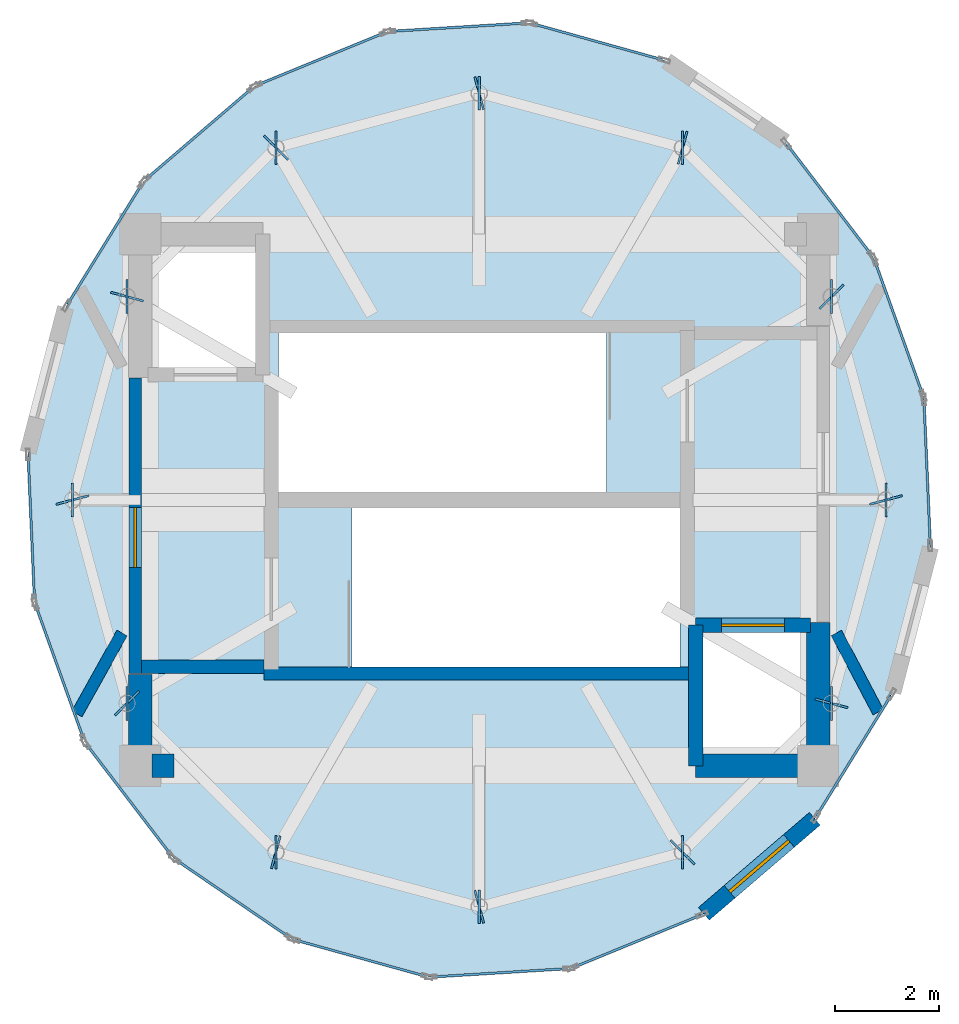
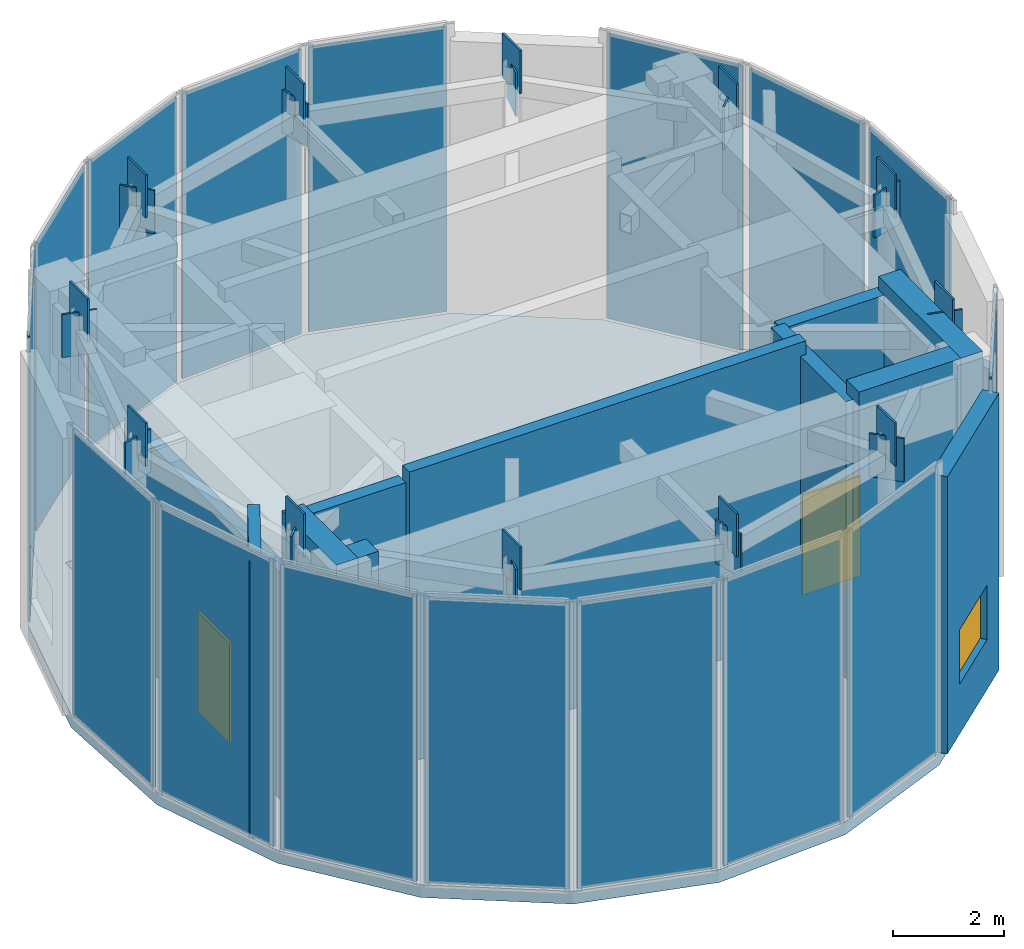
# One storey, part 5 of 7: 40 plates, 12 walls, 2 doors, 1 slab, 1 window, 3 openings, 16 elements without a shape of their own.
"""IFC4 building model written with IfcOpenShell, lengths in metres."""

from ifc_helpers import new_model, si_unit, direction, frame, frame_2d, origin, origin_2d, place, context, subcontext, project, spatial, polyline, rectangle, outline, extrude, source, transform, mapped, material, layer, layer_set, type_object, element, fill, aggregate, save


model = new_model("IFC4")

# Units and contexts
model_context = context("Model", 3, precision=1e-05, world=origin(), true_north=direction((0.0, 1.0)))
body_context = subcontext(model_context, "Body", "Model", "MODEL_VIEW")
ifc_project = project(units=[si_unit("LENGTHUNIT", "METRE"), si_unit("AREAUNIT", "SQUARE_METRE"), si_unit("VOLUMEUNIT", "CUBIC_METRE"), si_unit("PLANEANGLEUNIT", "RADIAN"), si_unit("MASSUNIT", "GRAM", prefix="KILO")], contexts=[model_context])

# Site, building, storey
site_placement = place(None, origin())
site = spatial("IfcSite", under=ifc_project, at=site_placement, CompositionType="ELEMENT")
building_placement = place(site_placement, origin())
building = spatial("IfcBuilding", under=site, at=building_placement, Name="Solvirekh Grand Hotel", CompositionType="ELEMENT")
storey_placement = place(building_placement, frame((0.0, 0.0, 333.800048828125)))
storey = spatial("IfcBuildingStorey", under=building, at=storey_placement, Name="L83", CompositionType="ELEMENT", Elevation=333.800048828125)

# Plates
ifc_material_1 = material(Name="Steel S355", Category="steel")
ifc_layer_1 = layer(ifc_material_1, 0.0400390625)
ifc_layer_set_1 = layer_set([ifc_layer_1], Name="Steel S355")
plate_type_1 = type_object("IfcPlateType", Name="NodeCapPlate_40", PredefinedType="SHEET", material=ifc_layer_set_1)
for number, where, z_axis, x_axis, name in (
    (1, (7.800048828125, 0.0, 5.9248046875), (0.0, 0.0, 1.0), (1.0, 0.0, 0.0), "L83 hollow-section node plate PL-L83-CAP-P01"),
    (2, (6.7548828125, 3.89990234375, 5.9248046875), (0.0, 0.0, 1.0), (1.0, 0.0, 0.0), "L83 hollow-section node plate PL-L83-CAP-P02"),
    (3, (3.89990234375, 6.7548828125, 5.9248046875), (0.0, 0.0, 1.0), (1.0, 0.0, 0.0), "L83 hollow-section node plate PL-L83-CAP-P03"),
    (4, (0.0, 7.800048828125, 5.9248046875), (0.0, 0.0, 1.0), (1.0, 0.0, 0.0), "L83 hollow-section node plate PL-L83-CAP-P04"),
    (5, (-3.89990234375, 6.7548828125, 5.9248046875), (0.0, 0.0, 1.0), (1.0, 0.0, 0.0), "L83 hollow-section node plate PL-L83-CAP-P05"),
    (6, (-6.7548828125, 3.89990234375, 5.9248046875), (0.0, 0.0, 1.0), (1.0, 0.0, 0.0), "L83 hollow-section node plate PL-L83-CAP-P06"),
    (7, (-7.800048828125, 0.0, 5.9248046875), (0.0, 0.0, 1.0), (1.0, 0.0, 0.0), "L83 hollow-section node plate PL-L83-CAP-P07"),
    (8, (-6.7548828125, -3.89990234375, 5.9248046875), (0.0, 0.0, 1.0), (1.0, 0.0, 0.0), "L83 hollow-section node plate PL-L83-CAP-P08"),
    (9, (-3.89990234375, -6.7548828125, 5.9248046875), (0.0, 0.0, 1.0), (1.0, 0.0, 0.0), "L83 hollow-section node plate PL-L83-CAP-P09"),
    (10, (0.0, -7.800048828125, 5.9248046875), (0.0, 0.0, 1.0), (1.0, 0.0, 0.0), "L83 hollow-section node plate PL-L83-CAP-P10"),
    (11, (3.89990234375, -6.7548828125, 5.9248046875), (0.0, 0.0, 1.0), (1.0, 0.0, 0.0), "L83 hollow-section node plate PL-L83-CAP-P11"),
    (12, (6.7548828125, -3.89990234375, 5.9248046875), (0.0, 0.0, 1.0), (1.0, 0.0, 0.0), "L83 hollow-section node plate PL-L83-CAP-P12"),
    (13, (7.800048828125, 0.0, 5.4501953125), (0.0, 0.0, 1.0), (-0.258819045103, 0.965925826289, 0.0), "L83 hollow-section node plate NP-L83-SP01"),
    (14, (6.7548828125, 3.89990234375, 5.4501953125), (0.0, 0.0, 1.0), (-0.707106781187, 0.707106781187, 0.0), "L83 hollow-section node plate NP-L83-SP02"),
    (15, (3.89990234375, 6.7548828125, 5.4501953125), (0.0, 0.0, 1.0), (-0.965925826289, 0.258819045103, 0.0), "L83 hollow-section node plate NP-L83-SP03"),
    (16, (0.0, 7.800048828125, 5.4501953125), (0.0, 0.0, 1.0), (-0.965925826289, -0.258819045103, 0.0), "L83 hollow-section node plate NP-L83-SP04"),
    (17, (-3.89990234375, 6.7548828125, 5.4501953125), (0.0, 0.0, 1.0), (-0.707106781187, -0.707106781187, 0.0), "L83 hollow-section node plate NP-L83-SP05"),
    (18, (-6.7548828125, 3.89990234375, 5.4501953125), (0.0, 0.0, 1.0), (-0.258819045103, -0.965925826289, 0.0), "L83 hollow-section node plate NP-L83-SP06"),
    (19, (-7.800048828125, 0.0, 5.4501953125), (0.0, 0.0, 1.0), (0.258819045103, -0.965925826289, 0.0), "L83 hollow-section node plate NP-L83-SP07"),
    (20, (-6.7548828125, -3.89990234375, 5.4501953125), (0.0, 0.0, 1.0), (0.707106781187, -0.707106781187, 0.0), "L83 hollow-section node plate NP-L83-SP08"),
    (21, (-3.89990234375, -6.7548828125, 5.4501953125), (0.0, 0.0, 1.0), (0.965925826289, -0.258819045103, 0.0), "L83 hollow-section node plate NP-L83-SP09"),
    (22, (0.0, -7.800048828125, 5.4501953125), (0.0, 0.0, 1.0), (0.965925826289, 0.258819045103, 0.0), "L83 hollow-section node plate NP-L83-SP10"),
    (23, (3.89990234375, -6.7548828125, 5.4501953125), (0.0, 0.0, 1.0), (0.707106781187, 0.707106781187, 0.0), "L83 hollow-section node plate NP-L83-SP11"),
    (24, (6.7548828125, -3.89990234375, 5.4501953125), (0.0, 0.0, 1.0), (0.258819045103, 0.965925826289, 0.0), "L83 hollow-section node plate NP-L83-SP12"),
):
    element("IfcPlate", number, at=place(storey_placement, frame(where, z_axis=z_axis, x_axis=x_axis)), inside=storey, type_object=plate_type_1, Name=name, PredefinedType="SHEET", context=body_context, shape_type="SweptSolid", body=[
        extrude(rectangle(XDim=0.0400390625, YDim=0.64990234375, at=origin_2d()), origin(), (0.0, 0.0, 1.0), 0.949951171875),
    ])

# Slab
ifc_material_2 = material(Name="Concrete C40/50", Category="concrete")
ifc_layer_2 = layer(ifc_material_2, 0.280029296875)
ifc_layer_set_2 = layer_set([ifc_layer_2], Name="Concrete C40/50")
slab_type = type_object("IfcSlabType", Name="Slab_Crown_280", PredefinedType="FLOOR", material=ifc_layer_set_2)
slab_placement = place(storey_placement, frame((0.0, 0.0, -0.280029296875)))
element("IfcSlab", 25, at=slab_placement, inside=storey, type_object=slab_type, Name="L83 structural floor slab", PredefinedType="FLOOR", context=body_context, shape_type="SweptSolid", body=[
    extrude(outline(polyline([(-0.9619140625, -9.14990234375), (1.759033203125, -8.98291015625), (4.30810546875, -7.93701171875), (6.43505859375, -6.114013671875), (7.931884765625, -3.69189453125), (8.652099609375, -0.908935546875), (8.52587890625, 1.9619140625), (7.56494140625, 4.64208984375), (5.864013671875, 6.867919921875), (3.587890625, 8.4208984375), (0.9619140625, 9.14990234375), (-1.759033203125, 8.98291015625), (-4.30810546875, 7.93701171875), (-6.43505859375, 6.114013671875), (-7.931884765625, 3.69189453125), (-8.652099609375, 0.908935546875), (-8.52587890625, -1.9619140625), (-7.56494140625, -4.64208984375), (-5.864013671875, -6.867919921875), (-3.587890625, -8.4208984375), (-0.9619140625, -9.14990234375)]), holes=[polyline([(-2.444091796875, -0.14990234375), (3.85009765625, -0.14990234375), (3.85009765625, -3.199951171875), (-2.444091796875, -3.199951171875), (-2.444091796875, -0.14990234375)]), polyline([(2.444091796875, 0.14990234375), (-3.85009765625, 0.14990234375), (-3.85009765625, 3.199951171875), (2.444091796875, 3.199951171875), (2.444091796875, 0.14990234375)]), polyline([(-6.35009765625, 5.10009765625), (-4.14990234375, 5.10009765625), (-4.14990234375, 2.39990234375), (-6.35009765625, 2.39990234375), (-6.35009765625, 5.10009765625)]), polyline([(4.14990234375, -2.39990234375), (6.35009765625, -2.39990234375), (6.35009765625, -5.10009765625), (4.14990234375, -5.10009765625), (4.14990234375, -2.39990234375)])]), origin(), (0.0, 0.0, 1.0), 0.280029296875),
])

# Curtain wall, plate
ifc_material_3 = material(Name="Anodized Bronze Aluminium 6063-T6", Category="aluminium")
ifc_layer_3 = layer(ifc_material_3, 0.219970703125)
ifc_layer_set_3 = layer_set([ifc_layer_3], Name="Anodized Bronze Aluminium 6063-T6")
curtain_wall_type = type_object("IfcCurtainWallType", Name="CW_Sys6_CrownFacetedPointCW", PredefinedType="NOTDEFINED", material=ifc_layer_set_3)
curtain_wall_1_placement = place(storey_placement, origin())
curtain_wall_1 = element("IfcCurtainWall", 26, at=curtain_wall_1_placement, inside=storey, type_object=curtain_wall_type, Name="L83 unitised bronze-glass curtain wall CW-L83-C01", PredefinedType="NOTDEFINED")
ifc_material_4 = material(Name="Champagne Low-Iron Crown Laminated Glass", Category="glass")
ifc_layer_4 = layer(ifc_material_4, 0.0458984375)
ifc_layer_set_4 = layer_set([ifc_layer_4], Name="Champagne Low-Iron Crown Laminated Glass")
plate_type_2 = type_object("IfcPlateType", Name="CWPanel_Crown_46", PredefinedType="CURTAIN_PANEL", material=ifc_layer_set_4)
shared_shape_1 = source(origin(), body_context, "Body", "SweptSolid", [
    extrude(rectangle(XDim=2.576171875, YDim=0.0458984375, at=origin_2d()), origin(), (0.0, 0.0, 1.0), 6.27001953125),
])
plate_1_placement = place(storey_placement, frame((0.3984375, -9.06640625, 0.06494140625), z_axis=(0.0, 0.0, 1.0), x_axis=(0.998121889929, 0.061259226607, 0.0)))
plate_1 = element("IfcPlate", 27, at=plate_1_placement, type_object=plate_type_2, Name="U06 panel 1.1", PredefinedType="CURTAIN_PANEL", context=body_context, shape_type="MappedRepresentation", body=[
    mapped(shared_shape_1, transform((0.0, 0.0, 0.0), x_axis=(1.0, 0.0, 0.0), y_axis=(0.0, 1.0, 0.0), z_axis=(0.0, 0.0, 1.0), scale=1.0)),
])
aggregate(curtain_wall_1, [plate_1])

curtain_wall_2_placement = place(storey_placement, origin())
curtain_wall_2 = element("IfcCurtainWall", 28, at=curtain_wall_2_placement, inside=storey, type_object=curtain_wall_type, Name="L83 unitised bronze-glass curtain wall CW-L83-C11", PredefinedType="NOTDEFINED")
plate_2_placement = place(storey_placement, frame((-0.3984375, 9.06640625, 0.06494140625), z_axis=(0.0, 0.0, 1.0), x_axis=(-0.998121889929, -0.061259226607, 0.0)))
plate_2 = element("IfcPlate", 29, at=plate_2_placement, type_object=plate_type_2, Name="U06 panel 1.1", PredefinedType="CURTAIN_PANEL", context=body_context, shape_type="MappedRepresentation", body=[
    mapped(shared_shape_1, transform((0.0, 0.0, 0.0), x_axis=(1.0, 0.0, 0.0), y_axis=(0.0, 1.0, 0.0), z_axis=(0.0, 0.0, 1.0), scale=1.0)),
])
aggregate(curtain_wall_2, [plate_2])

curtain_wall_3_placement = place(storey_placement, origin())
curtain_wall_3 = element("IfcCurtainWall", 30, at=curtain_wall_3_placement, inside=storey, type_object=curtain_wall_type, Name="L83 unitised bronze-glass curtain wall CW-L83-C02", PredefinedType="NOTDEFINED")
shared_shape_2 = source(origin(), body_context, "Body", "SweptSolid", [
    extrude(rectangle(XDim=2.605224609375, YDim=0.0458984375, at=origin_2d()), origin(), (0.0, 0.0, 1.0), 6.27001953125),
])
plate_3_placement = place(storey_placement, frame((3.033447265625, -8.4599609375, 0.06494140625), z_axis=(0.0, 0.0, 1.0), x_axis=(0.925135935982, 0.379636009824, 0.0)))
plate_3 = element("IfcPlate", 31, at=plate_3_placement, type_object=plate_type_2, Name="U06 panel 1.1", PredefinedType="CURTAIN_PANEL", context=body_context, shape_type="MappedRepresentation", body=[
    mapped(shared_shape_2, transform((0.0, 0.0, 0.0), x_axis=(1.0, 0.0, 0.0), y_axis=(0.0, 1.0, 0.0), z_axis=(0.0, 0.0, 1.0), scale=1.0)),
])
aggregate(curtain_wall_3, [plate_3])

curtain_wall_4_placement = place(storey_placement, origin())
curtain_wall_4 = element("IfcCurtainWall", 32, at=curtain_wall_4_placement, inside=storey, type_object=curtain_wall_type, Name="L83 unitised bronze-glass curtain wall CW-L83-C12", PredefinedType="NOTDEFINED")
plate_4_placement = place(storey_placement, frame((-3.033447265625, 8.4599609375, 0.06494140625), z_axis=(0.0, 0.0, 1.0), x_axis=(-0.925135935982, -0.379636009824, 0.0)))
plate_4 = element("IfcPlate", 33, at=plate_4_placement, type_object=plate_type_2, Name="U06 panel 1.1", PredefinedType="CURTAIN_PANEL", context=body_context, shape_type="MappedRepresentation", body=[
    mapped(shared_shape_2, transform((0.0, 0.0, 0.0), x_axis=(1.0, 0.0, 0.0), y_axis=(0.0, 1.0, 0.0), z_axis=(0.0, 0.0, 1.0), scale=1.0)),
])
aggregate(curtain_wall_4, [plate_4])

curtain_wall_5_placement = place(storey_placement, origin())
curtain_wall_5 = element("IfcCurtainWall", 34, at=curtain_wall_5_placement, inside=storey, type_object=curtain_wall_type, Name="L83 unitised bronze-glass curtain wall CW-L83-C04", PredefinedType="NOTDEFINED")
shared_shape_3 = source(origin(), body_context, "Body", "SweptSolid", [
    extrude(rectangle(XDim=2.697265625, YDim=0.0458984375, at=origin_2d()), origin(), (0.0, 0.0, 1.0), 6.27001953125),
])
plate_5_placement = place(storey_placement, frame((7.18359375, -4.903076171875, 0.06494140625), z_axis=(0.0, 0.0, 1.0), x_axis=(0.525762035125, 0.850631696106, 0.0)))
plate_5 = element("IfcPlate", 35, at=plate_5_placement, type_object=plate_type_2, Name="U06 panel 1.1", PredefinedType="CURTAIN_PANEL", context=body_context, shape_type="MappedRepresentation", body=[
    mapped(shared_shape_3, transform((0.0, 0.0, 0.0), x_axis=(1.0, 0.0, 0.0), y_axis=(0.0, 1.0, 0.0), z_axis=(0.0, 0.0, 1.0), scale=1.0)),
])
aggregate(curtain_wall_5, [plate_5])

curtain_wall_6_placement = place(storey_placement, origin())
curtain_wall_6 = element("IfcCurtainWall", 36, at=curtain_wall_6_placement, inside=storey, type_object=curtain_wall_type, Name="L83 unitised bronze-glass curtain wall CW-L83-C14", PredefinedType="NOTDEFINED")
plate_6_placement = place(storey_placement, frame((-7.18359375, 4.903076171875, 0.06494140625), z_axis=(0.0, 0.0, 1.0), x_axis=(-0.525762035125, -0.850631696106, 0.0)))
plate_6 = element("IfcPlate", 37, at=plate_6_placement, type_object=plate_type_2, Name="U06 panel 1.1", PredefinedType="CURTAIN_PANEL", context=body_context, shape_type="MappedRepresentation", body=[
    mapped(shared_shape_3, transform((0.0, 0.0, 0.0), x_axis=(1.0, 0.0, 0.0), y_axis=(0.0, 1.0, 0.0), z_axis=(0.0, 0.0, 1.0), scale=1.0)),
])
aggregate(curtain_wall_6, [plate_6])

curtain_wall_7_placement = place(storey_placement, origin())
curtain_wall_7 = element("IfcCurtainWall", 38, at=curtain_wall_7_placement, inside=storey, type_object=curtain_wall_type, Name="L83 unitised bronze-glass curtain wall CW-L83-C06", PredefinedType="NOTDEFINED")
shared_shape_4 = source(origin(), body_context, "Body", "SweptSolid", [
    extrude(rectangle(XDim=2.723876953125, YDim=0.0458984375, at=origin_2d()), origin(), (0.0, 0.0, 1.0), 6.27001953125),
])
plate_7_placement = place(storey_placement, frame((8.589111328125, 0.526611328125, 0.06494140625), z_axis=(0.0, 0.0, 1.0), x_axis=(-0.04384494318, 0.999038348092, 0.0)))
plate_7 = element("IfcPlate", 39, at=plate_7_placement, type_object=plate_type_2, Name="U06 panel 1.1", PredefinedType="CURTAIN_PANEL", context=body_context, shape_type="MappedRepresentation", body=[
    mapped(shared_shape_4, transform((0.0, 0.0, 0.0), x_axis=(1.0, 0.0, 0.0), y_axis=(0.0, 1.0, 0.0), z_axis=(0.0, 0.0, 1.0), scale=1.0)),
])
aggregate(curtain_wall_7, [plate_7])

curtain_wall_8_placement = place(storey_placement, origin())
curtain_wall_8 = element("IfcCurtainWall", 40, at=curtain_wall_8_placement, inside=storey, type_object=curtain_wall_type, Name="L83 unitised bronze-glass curtain wall CW-L83-C16", PredefinedType="NOTDEFINED")
plate_8_placement = place(storey_placement, frame((-8.589111328125, -0.526611328125, 0.06494140625), z_axis=(0.0, 0.0, 1.0), x_axis=(0.04384494318, -0.999038348092, 0.0)))
plate_8 = element("IfcPlate", 41, at=plate_8_placement, type_object=plate_type_2, Name="U06 panel 1.1", PredefinedType="CURTAIN_PANEL", context=body_context, shape_type="MappedRepresentation", body=[
    mapped(shared_shape_4, transform((0.0, 0.0, 0.0), x_axis=(1.0, 0.0, 0.0), y_axis=(0.0, 1.0, 0.0), z_axis=(0.0, 0.0, 1.0), scale=1.0)),
])
aggregate(curtain_wall_8, [plate_8])

curtain_wall_9_placement = place(storey_placement, origin())
curtain_wall_9 = element("IfcCurtainWall", 42, at=curtain_wall_9_placement, inside=storey, type_object=curtain_wall_type, Name="L83 unitised bronze-glass curtain wall CW-L83-C07", PredefinedType="NOTDEFINED")
shared_shape_5 = source(origin(), body_context, "Body", "SweptSolid", [
    extrude(rectangle(XDim=2.697021484375, YDim=0.0458984375, at=origin_2d()), origin(), (0.0, 0.0, 1.0), 6.27001953125),
])
plate_9_placement = place(storey_placement, frame((8.04541015625, 3.302001953125, 0.06494140625), z_axis=(0.0, 0.0, 1.0), x_axis=(-0.33753763588, 0.941312033475, 0.0)))
plate_9 = element("IfcPlate", 43, at=plate_9_placement, type_object=plate_type_2, Name="U06 panel 1.1", PredefinedType="CURTAIN_PANEL", context=body_context, shape_type="MappedRepresentation", body=[
    mapped(shared_shape_5, transform((0.0, 0.0, 0.0), x_axis=(1.0, 0.0, 0.0), y_axis=(0.0, 1.0, 0.0), z_axis=(0.0, 0.0, 1.0), scale=1.0)),
])
aggregate(curtain_wall_9, [plate_9])

curtain_wall_10_placement = place(storey_placement, origin())
curtain_wall_10 = element("IfcCurtainWall", 44, at=curtain_wall_10_placement, inside=storey, type_object=curtain_wall_type, Name="L83 unitised bronze-glass curtain wall CW-L83-C17", PredefinedType="NOTDEFINED")
plate_10_placement = place(storey_placement, frame((-8.04541015625, -3.302001953125, 0.06494140625), z_axis=(0.0, 0.0, 1.0), x_axis=(0.33753763588, -0.941312033475, 0.0)))
plate_10 = element("IfcPlate", 45, at=plate_10_placement, type_object=plate_type_2, Name="U06 panel 1.1", PredefinedType="CURTAIN_PANEL", context=body_context, shape_type="MappedRepresentation", body=[
    mapped(shared_shape_5, transform((0.0, 0.0, 0.0), x_axis=(1.0, 0.0, 0.0), y_axis=(0.0, 1.0, 0.0), z_axis=(0.0, 0.0, 1.0), scale=1.0)),
])
aggregate(curtain_wall_10, [plate_10])

curtain_wall_11_placement = place(storey_placement, origin())
curtain_wall_11 = element("IfcCurtainWall", 46, at=curtain_wall_11_placement, inside=storey, type_object=curtain_wall_type, Name="L83 unitised bronze-glass curtain wall CW-L83-C08", PredefinedType="NOTDEFINED")
shared_shape_6 = source(origin(), body_context, "Body", "SweptSolid", [
    extrude(rectangle(XDim=2.651611328125, YDim=0.0458984375, at=origin_2d()), origin(), (0.0, 0.0, 1.0), 6.27001953125),
])
plate_11_placement = place(storey_placement, frame((6.714599609375, 5.7548828125, 0.06494140625), z_axis=(0.0, 0.0, 1.0), x_axis=(-0.607171836409, 0.794570551349, 0.0)))
plate_11 = element("IfcPlate", 47, at=plate_11_placement, type_object=plate_type_2, Name="U06 panel 1.1", PredefinedType="CURTAIN_PANEL", context=body_context, shape_type="MappedRepresentation", body=[
    mapped(shared_shape_6, transform((0.0, 0.0, 0.0), x_axis=(1.0, 0.0, 0.0), y_axis=(0.0, 1.0, 0.0), z_axis=(0.0, 0.0, 1.0), scale=1.0)),
])
aggregate(curtain_wall_11, [plate_11])

curtain_wall_12_placement = place(storey_placement, origin())
curtain_wall_12 = element("IfcCurtainWall", 48, at=curtain_wall_12_placement, inside=storey, type_object=curtain_wall_type, Name="L83 unitised bronze-glass curtain wall CW-L83-C18", PredefinedType="NOTDEFINED")
plate_12_placement = place(storey_placement, frame((-6.714599609375, -5.7548828125, 0.06494140625), z_axis=(0.0, 0.0, 1.0), x_axis=(0.607171836409, -0.794570551349, 0.0)))
plate_12 = element("IfcPlate", 49, at=plate_12_placement, type_object=plate_type_2, Name="U06 panel 1.1", PredefinedType="CURTAIN_PANEL", context=body_context, shape_type="MappedRepresentation", body=[
    mapped(shared_shape_6, transform((0.0, 0.0, 0.0), x_axis=(1.0, 0.0, 0.0), y_axis=(0.0, 1.0, 0.0), z_axis=(0.0, 0.0, 1.0), scale=1.0)),
])
aggregate(curtain_wall_12, [plate_12])

curtain_wall_13_placement = place(storey_placement, origin())
curtain_wall_13 = element("IfcCurtainWall", 50, at=curtain_wall_13_placement, inside=storey, type_object=curtain_wall_type, Name="L83 unitised bronze-glass curtain wall CW-L83-C10", PredefinedType="NOTDEFINED")
shared_shape_7 = source(origin(), body_context, "Body", "SweptSolid", [
    extrude(rectangle(XDim=2.5751953125, YDim=0.0458984375, at=origin_2d()), origin(), (0.0, 0.0, 1.0), 6.27001953125),
])
plate_13_placement = place(storey_placement, frame((2.27490234375, 8.785400390625, 0.06494140625), z_axis=(0.0, 0.0, 1.0), x_axis=(-0.963559952825, 0.267492462158, 0.0)))
plate_13 = element("IfcPlate", 51, at=plate_13_placement, type_object=plate_type_2, Name="U06 panel 1.1", PredefinedType="CURTAIN_PANEL", context=body_context, shape_type="MappedRepresentation", body=[
    mapped(shared_shape_7, transform((0.0, 0.0, 0.0), x_axis=(1.0, 0.0, 0.0), y_axis=(0.0, 1.0, 0.0), z_axis=(0.0, 0.0, 1.0), scale=1.0)),
])
aggregate(curtain_wall_13, [plate_13])

curtain_wall_14_placement = place(storey_placement, origin())
curtain_wall_14 = element("IfcCurtainWall", 52, at=curtain_wall_14_placement, inside=storey, type_object=curtain_wall_type, Name="L83 unitised bronze-glass curtain wall CW-L83-C20", PredefinedType="NOTDEFINED")
plate_14_placement = place(storey_placement, frame((-2.27490234375, -8.785400390625, 0.06494140625), z_axis=(0.0, 0.0, 1.0), x_axis=(0.963559952825, -0.267492462158, 0.0)))
plate_14 = element("IfcPlate", 53, at=plate_14_placement, type_object=plate_type_2, Name="U06 panel 1.1", PredefinedType="CURTAIN_PANEL", context=body_context, shape_type="MappedRepresentation", body=[
    mapped(shared_shape_7, transform((0.0, 0.0, 0.0), x_axis=(1.0, 0.0, 0.0), y_axis=(0.0, 1.0, 0.0), z_axis=(0.0, 0.0, 1.0), scale=1.0)),
])
aggregate(curtain_wall_14, [plate_14])

curtain_wall_15_placement = place(storey_placement, origin())
curtain_wall_15 = element("IfcCurtainWall", 54, at=curtain_wall_15_placement, inside=storey, type_object=curtain_wall_type, Name="L83 unitised bronze-glass curtain wall CW-L83-C13", PredefinedType="NOTDEFINED")
shared_shape_8 = source(origin(), body_context, "Body", "SweptSolid", [
    extrude(rectangle(XDim=2.6513671875, YDim=0.0458984375, at=origin_2d()), origin(), (0.0, 0.0, 1.0), 6.27001953125),
])
plate_15_placement = place(storey_placement, frame((-5.37158203125, 7.025390625, 0.06494140625), z_axis=(0.0, 0.0, 1.0), x_axis=(-0.759281799898, -0.650761975183, 0.0)))
plate_15 = element("IfcPlate", 55, at=plate_15_placement, type_object=plate_type_2, Name="U06 panel 1.1", PredefinedType="CURTAIN_PANEL", context=body_context, shape_type="MappedRepresentation", body=[
    mapped(shared_shape_8, transform((0.0, 0.0, 0.0), x_axis=(1.0, 0.0, 0.0), y_axis=(0.0, 1.0, 0.0), z_axis=(0.0, 0.0, 1.0), scale=1.0)),
])
aggregate(curtain_wall_15, [plate_15])

curtain_wall_16_placement = place(storey_placement, origin())
curtain_wall_16 = element("IfcCurtainWall", 56, at=curtain_wall_16_placement, inside=storey, type_object=curtain_wall_type, Name="L83 unitised bronze-glass curtain wall CW-L83-C19", PredefinedType="NOTDEFINED")
shared_shape_9 = source(origin(), body_context, "Body", "SweptSolid", [
    extrude(rectangle(XDim=2.60546875, YDim=0.0458984375, at=origin_2d()), origin(), (0.0, 0.0, 1.0), 6.27001953125),
])
plate_16_placement = place(storey_placement, frame((-4.72607421875, -7.64453125, 0.06494140625), z_axis=(0.0, 0.0, 1.0), x_axis=(0.826027654078, -0.563629589978, 0.0)))
plate_16 = element("IfcPlate", 57, at=plate_16_placement, type_object=plate_type_2, Name="U06 panel 1.1", PredefinedType="CURTAIN_PANEL", context=body_context, shape_type="MappedRepresentation", body=[
    mapped(shared_shape_9, transform((0.0, 0.0, 0.0), x_axis=(1.0, 0.0, 0.0), y_axis=(0.0, 1.0, 0.0), z_axis=(0.0, 0.0, 1.0), scale=1.0)),
])
aggregate(curtain_wall_16, [plate_16])

# Wall
ifc_material_5 = material(Name="Concrete C50/60", Category="concrete")
ifc_layer_5 = layer(ifc_material_5, 0.35009765625)
ifc_layer_set_5 = layer_set([ifc_layer_5], Name="Concrete C50/60")
wall_type_1 = type_object("IfcWallType", Name="CoreDivWall_RC350", PredefinedType="SOLIDWALL", material=ifc_layer_set_5)
wall_1_placement = place(storey_placement, frame((-4.1298828125, -3.324951171875, 0.0), z_axis=(0.0, 0.0, 1.0), x_axis=(1.0, 0.0, 0.0)))
element("IfcWall", 58, at=wall_1_placement, inside=storey, type_object=wall_type_1, Name="L83 core stair box wall ST-S", PredefinedType="SOLIDWALL", context=body_context, shape_type="SweptSolid", body=[
    extrude(rectangle(XDim=8.259765625, YDim=0.25, at=frame_2d((4.1298828125, 0.0))), origin(), (0.0, 0.0, 1.0), 6.39990234375),
])

# Wall, opening, door
ifc_layer_6 = layer(ifc_material_2, 0.280029296875)
ifc_layer_set_6 = layer_set([ifc_layer_6], Name="Concrete C40/50")
wall_type_2 = type_object("IfcWallType", Name="CoreShaftWall_RC280", PredefinedType="SOLIDWALL", material=ifc_layer_set_6)
wall_2_placement = place(storey_placement, frame((6.35009765625, -2.39990234375, 0.0), z_axis=(0.0, 0.0, 1.0), x_axis=(-1.0, 0.0, 0.0)))
wall_2 = element("IfcWall", 59, at=wall_2_placement, inside=storey, type_object=wall_type_2, Name="L83 FL-2 hoistway N wall", PredefinedType="SOLIDWALL", context=body_context, shape_type="SweptSolid", body=[
    extrude(rectangle(XDim=2.2001953125, YDim=0.280029296875, at=frame_2d((1.10009765625, 0.0))), origin(), (0.0, 0.0, 1.0), 6.099853515625),
])
opening_1_placement = place(wall_2_placement, frame((0.5, 0.0, 0.0)))
opening_1 = element("IfcOpeningElement", 60, at=opening_1_placement, cuts=wall_2, Name="Opening LD02", PredefinedType="OPENING", context=body_context, shape_type="SweptSolid", body=[
    extrude(rectangle(XDim=1.199951171875, YDim=2.199951171875, at=frame_2d((0.60009765625, 1.10009765625))), frame((0.0, 0.14990234375, 0.0), z_axis=(0.0, -1.0, 0.0), x_axis=(1.0, 0.0, 0.0)), (0.0, 0.0, 1.0), 0.300048828125),
])
ifc_material_6 = material(Name="Fire-Rated Steel Door Assembly", Category="steel")
door_type_1 = type_object("IfcDoorType", Name="Door_LiftFF_1200X2200", OperationType="SLIDING_TO_LEFT", PredefinedType="DOOR", material=ifc_material_6)
door_1_placement = place(opening_1_placement, origin())
door_1 = element("IfcDoor", 61, at=door_1_placement, inside=storey, type_object=door_type_1, Name="L83 FL-2 sliding lift landing door", OperationType="SLIDING_TO_LEFT", OverallHeight=2.199951171875, OverallWidth=1.199951171875, PredefinedType="DOOR", context=body_context, shape_type="SweptSolid", body=[
    extrude(rectangle(XDim=1.199951171875, YDim=2.199951171875, at=frame_2d((0.60009765625, 1.10009765625))), frame((0.0, 0.02490234375, 0.0), z_axis=(0.0, -1.0, 0.0), x_axis=(1.0, 0.0, 0.0)), (0.0, 0.0, 1.0), 0.050048828125),
])
fill(opening_1, door_1)

# Walls
wall_3_placement = place(storey_placement, frame((4.14990234375, -2.39990234375, 0.0), z_axis=(0.0, 0.0, 1.0), x_axis=(0.0, -1.0, 0.0)))
element("IfcWall", 62, at=wall_3_placement, inside=storey, type_object=wall_type_2, Name="L83 FL-2 hoistway W wall", PredefinedType="SOLIDWALL", context=body_context, shape_type="SweptSolid", body=[
    extrude(rectangle(XDim=2.7001953125, YDim=0.280029296875, at=frame_2d((1.35009765625, 0.0))), origin(), (0.0, 0.0, 1.0), 6.099853515625),
])
ifc_layer_7 = layer(ifc_material_5, 0.449951171875)
ifc_layer_set_7 = layer_set([ifc_layer_7], Name="Concrete C50/60")
wall_type_3 = type_object("IfcWallType", Name="CoreWall_RC450", PredefinedType="SHEAR", material=ifc_layer_set_7)
wall_4_placement = place(storey_placement, frame((-6.27490234375, -5.10009765625, 0.0), z_axis=(0.0, 0.0, 1.0), x_axis=(1.0, 0.0, 0.0)))
element("IfcWall", 63, at=wall_4_placement, inside=storey, type_object=wall_type_3, Name="L83 core corner shear wall SW-S", PredefinedType="SHEAR", context=body_context, shape_type="SweptSolid", body=[
    extrude(rectangle(XDim=0.4248046875, YDim=0.449951171875, at=frame_2d((0.21240234375, 0.0))), origin(), (0.0, 0.0, 1.0), 6.39990234375),
])
wall_5_placement = place(storey_placement, frame((4.14990234375, -5.10009765625, 0.0), z_axis=(0.0, 0.0, 1.0), x_axis=(1.0, 0.0, 0.0)))
element("IfcWall", 64, at=wall_5_placement, inside=storey, type_object=wall_type_3, Name="L83 core corner shear wall SE-S", PredefinedType="SHEAR", context=body_context, shape_type="SweptSolid", body=[
    extrude(rectangle(XDim=2.125, YDim=0.449951171875, at=frame_2d((1.0625, 0.0))), origin(), (0.0, 0.0, 1.0), 6.39990234375),
])
wall_6_placement = place(storey_placement, frame((-6.5, -5.324951171875, 0.0), z_axis=(0.0, 0.0, 1.0), x_axis=(0.0, 1.0, 0.0)))
element("IfcWall", 65, at=wall_6_placement, inside=storey, type_object=wall_type_3, Name="L83 core corner shear wall WS-W", PredefinedType="SHEAR", context=body_context, shape_type="SweptSolid", body=[
    extrude(rectangle(XDim=1.974853515625, YDim=0.449951171875, at=frame_2d((0.9873046875, 0.0))), origin(), (0.0, 0.0, 1.0), 6.39990234375),
])
wall_7_placement = place(storey_placement, frame((6.5, -5.324951171875, 0.0), z_axis=(0.0, 0.0, 1.0), x_axis=(0.0, 1.0, 0.0)))
element("IfcWall", 66, at=wall_7_placement, inside=storey, type_object=wall_type_3, Name="L83 core corner shear wall ES-E", PredefinedType="SHEAR", context=body_context, shape_type="SweptSolid", body=[
    extrude(rectangle(XDim=2.974853515625, YDim=0.449951171875, at=frame_2d((1.4873046875, 0.0))), origin(), (0.0, 0.0, 1.0), 6.39990234375),
])

# Wall, opening, window
ifc_material_7 = material(Name="Precast concrete C45/55", Category="concrete")
ifc_layer_8 = layer(ifc_material_7, 0.320068359375)
ifc_layer_set_8 = layer_set([ifc_layer_8], Name="Precast concrete C45/55")
wall_type_4 = type_object("IfcWallType", Name="ExtLobbyWall_RC320", PredefinedType="SOLIDWALL", material=ifc_layer_set_8)
wall_8_placement = place(storey_placement, frame((6.43505859375, -6.114013671875, 0.0), z_axis=(0.0, 0.0, 1.0), x_axis=(-0.759275057944, -0.65076984133, 0.0)))
wall_8 = element("IfcWall", 67, at=wall_8_placement, inside=storey, type_object=wall_type_4, Name="L83 exterior structural wall chord 3", PredefinedType="SOLIDWALL", context=body_context, shape_type="SweptSolid", body=[
    extrude(rectangle(XDim=2.80126953125, YDim=0.320068359375, at=frame_2d((1.400634765625, 0.0))), origin(), (0.0, 0.0, 1.0), 6.099853515625),
])
opening_2_placement = place(wall_8_placement, frame((0.65087890625, 0.0, 1.10009765625)))
opening_2 = element("IfcOpeningElement", 68, at=opening_2_placement, cuts=wall_8, Name="Opening W05", PredefinedType="OPENING", context=body_context, shape_type="SweptSolid", body=[
    extrude(rectangle(XDim=1.5, YDim=1.199951171875, at=frame_2d((0.75, 0.60009765625))), frame((0.0, 0.169921875, 0.0), z_axis=(0.0, -1.0, 0.0), x_axis=(1.0, 0.0, 0.0)), (0.0, 0.0, 1.0), 0.340087890625),
])
ifc_material_8 = material(Name="Low-E Tinted Bronze Laminated Glass", Category="aluminium")
window_type = type_object("IfcWindowType", Name="Win_PlantVent_1500X1200", PartitioningType="SINGLE_PANEL", PredefinedType="WINDOW", material=ifc_material_8)
window_placement = place(opening_2_placement, origin())
window = element("IfcWindow", 69, at=window_placement, inside=storey, type_object=window_type, Name="L83 mechanical louvre window 3", OverallHeight=1.199951171875, OverallWidth=1.5, PartitioningType="SINGLE_PANEL", PredefinedType="WINDOW", context=body_context, shape_type="SweptSolid", body=[
    extrude(rectangle(XDim=1.5, YDim=1.199951171875, at=frame_2d((0.75, 0.60009765625))), frame((0.0, 0.030029296875, 0.0), z_axis=(0.0, -1.0, 0.0), x_axis=(1.0, 0.0, 0.0)), (0.0, 0.0, 1.0), 0.06005859375),
])
fill(opening_2, window)

# Wall, opening, door
ifc_material_9 = material(Name="Acoustic Gypsum Partition Assembly")
ifc_layer_9 = layer(ifc_material_9, 0.239990234375)
ifc_layer_set_9 = layer_set([ifc_layer_9], Name="Acoustic Gypsum Partition Assembly")
wall_type_5 = type_object("IfcWallType", Name="Part_Corridor_240", PredefinedType="PARTITIONING", material=ifc_layer_set_9)
wall_9_placement = place(storey_placement, frame((-6.60009765625, -3.330078125, 0.0), z_axis=(0.0, 0.0, 1.0), x_axis=(0.0, 1.0, 0.0)))
wall_9 = element("IfcWall", 70, at=wall_9_placement, inside=storey, type_object=wall_type_5, Name="L83 west firefighting lobby smoke screen wall", PredefinedType="PARTITIONING", context=body_context, shape_type="SweptSolid", body=[
    extrude(rectangle(XDim=5.670166015625, YDim=0.239990234375, at=frame_2d((2.8349609375, 0.0))), origin(), (0.0, 0.0, 1.0), 4.98486328125),
])
opening_3_placement = place(wall_9_placement, frame((2.033935546875, 0.0, 0.0)))
opening_3 = element("IfcOpeningElement", 71, at=opening_3_placement, cuts=wall_9, Name="Opening D06", PredefinedType="OPENING", context=body_context, shape_type="SweptSolid", body=[
    extrude(rectangle(XDim=1.14990234375, YDim=2.199951171875, at=frame_2d((0.574951171875, 1.10009765625))), frame((0.0, 0.1298828125, 0.0), z_axis=(0.0, -1.0, 0.0), x_axis=(1.0, 0.0, 0.0)), (0.0, 0.0, 1.0), 0.260009765625),
])
door_type_2 = type_object("IfcDoorType", Name="Door_FFLobby_1150X2200", OperationType="NOTDEFINED", PredefinedType="DOOR", material=ifc_material_6)
door_2_placement = place(opening_3_placement, origin())
door_2 = element("IfcDoor", 72, at=door_2_placement, inside=storey, type_object=door_type_2, Name="L83 west firefighting lobby smoke door", OperationType="SINGLE_SWING_RIGHT", OverallHeight=2.199951171875, OverallWidth=1.14990234375, PredefinedType="DOOR", context=body_context, shape_type="SweptSolid", body=[
    extrude(rectangle(XDim=1.14990234375, YDim=2.199951171875, at=frame_2d((0.574951171875, 1.10009765625))), frame((0.0, 0.02490234375, 0.0), z_axis=(0.0, -1.0, 0.0), x_axis=(1.0, 0.0, 0.0)), (0.0, 0.0, 1.0), 0.050048828125),
])
fill(opening_3, door_2)

# Walls
ifc_layer_10 = layer(ifc_material_9, 0.260009765625)
ifc_layer_set_10 = layer_set([ifc_layer_10], Name="Acoustic Gypsum Partition Assembly")
wall_type_6 = type_object("IfcWallType", Name="Part_LobbyFF_260", PredefinedType="PARTITIONING", material=ifc_layer_set_10)
wall_10_placement = place(storey_placement, frame((-6.47509765625, -3.199951171875, 0.0), z_axis=(0.0, 0.0, 1.0), x_axis=(1.0, 0.0, 0.0)))
element("IfcWall", 73, at=wall_10_placement, inside=storey, type_object=wall_type_6, Name="L83 west firefighting lobby south partition", PredefinedType="PARTITIONING", context=body_context, shape_type="SweptSolid", body=[
    extrude(rectangle(XDim=2.34521484375, YDim=0.260009765625, at=frame_2d((1.172607421875, 0.0))), origin(), (0.0, 0.0, 1.0), 6.099853515625),
])
ifc_layer_11 = layer(ifc_material_7, 0.22509765625)
ifc_layer_set_11 = layer_set([ifc_layer_11], Name="Precast concrete C45/55")
wall_type_7 = type_object("IfcWallType", Name="Part_Plant_225", PredefinedType="PARTITIONING", material=ifc_layer_set_11)
wall_11_placement = place(storey_placement, frame((-6.85009765625, -2.550048828125, 0.0), z_axis=(0.0, 0.0, 1.0), x_axis=(-0.487017962395, -0.873391953423, 0.0)))
element("IfcWall", 74, at=wall_11_placement, inside=storey, type_object=wall_type_7, Name="L83 west crown plant south wall", PredefinedType="PARTITIONING", context=body_context, shape_type="SweptSolid", body=[
    extrude(rectangle(XDim=1.778076171875, YDim=0.22509765625, at=frame_2d((0.88916015625, 0.0))), origin(), (0.0, 0.0, 1.0), 6.099853515625),
])
wall_12_placement = place(storey_placement, frame((6.85009765625, -2.550048828125, 0.0), z_axis=(0.0, 0.0, 1.0), x_axis=(0.466888304663, -0.884316295773, 0.0)))
element("IfcWall", 75, at=wall_12_placement, inside=storey, type_object=wall_type_7, Name="L83 east crown plant south wall", PredefinedType="PARTITIONING", context=body_context, shape_type="SweptSolid", body=[
    extrude(rectangle(XDim=1.7177734375, YDim=0.22509765625, at=frame_2d((0.85888671875, 0.0))), origin(), (0.0, 0.0, 1.0), 4.98486328125),
])

save(model, "model.ifc")
